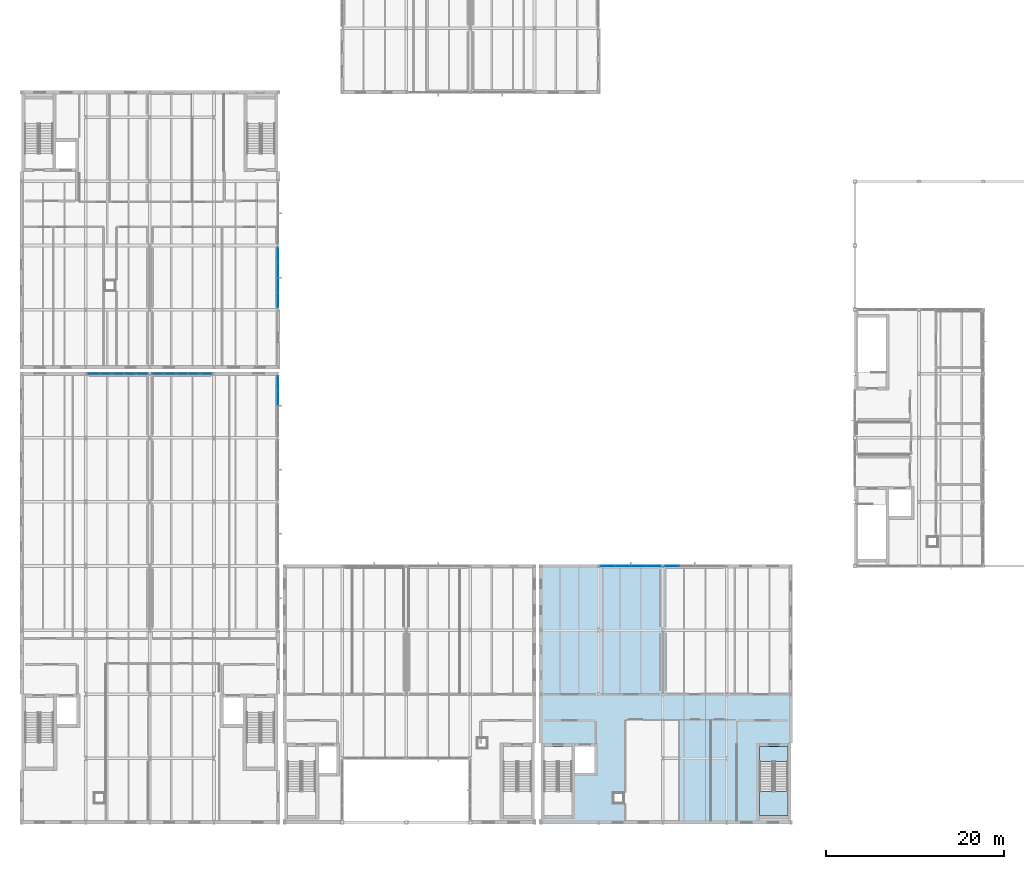
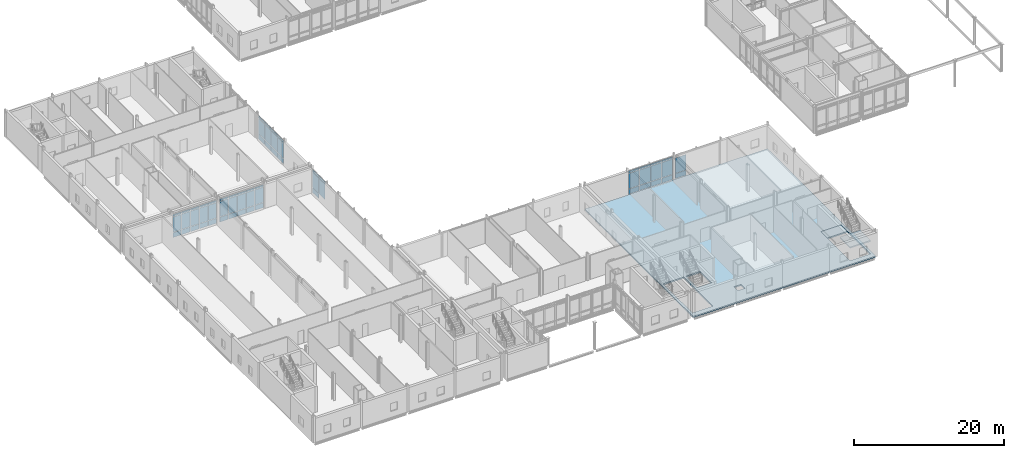
# One storey, part 36 of 72: 61 plates, 3 slabs, 7 elements without a shape of their own.
"""IFC4 building model written with IfcOpenShell, lengths in metres."""

from ifc_helpers import new_model, si_unit, direction, frame, origin, origin_2d, place, context, subcontext, project, spatial, polyline, rectangle, outline, extrude, material, layer, layer_set, type_object, element, aggregate, save


model = new_model("IFC4")

# Units and contexts
model_context = context("Model", 3, precision=1e-05, world=origin(), true_north=direction((0.0, 1.0)))
body_context = subcontext(model_context, "Body", "Model", "MODEL_VIEW")
ifc_project = project(units=[si_unit("LENGTHUNIT", "METRE"), si_unit("AREAUNIT", "SQUARE_METRE"), si_unit("VOLUMEUNIT", "CUBIC_METRE"), si_unit("PLANEANGLEUNIT", "RADIAN"), si_unit("MASSUNIT", "GRAM", prefix="KILO")], contexts=[model_context])

# Site, building, storey
site_placement = place(None, origin())
site = spatial("IfcSite", under=ifc_project, at=site_placement, CompositionType="ELEMENT")
building_placement = place(site_placement, origin())
building = spatial("IfcBuilding", under=site, at=building_placement, Name="Zarrinpeak Specialist Clinic", CompositionType="ELEMENT")
storey_placement = place(building_placement, frame((0.0, 0.0, 9.60009765625)))
storey = spatial("IfcBuildingStorey", under=building, at=storey_placement, Name="L02", CompositionType="ELEMENT", Elevation=9.60009765625)

# Curtain wall, plates
ifc_material_1 = material(Name="Anodised Aluminium Alloy 6063-T6", Category="aluminium")
ifc_layer_1 = layer(ifc_material_1, 0.1650390625)
ifc_layer_set_1 = layer_set([ifc_layer_1], Name="Anodised Aluminium Alloy 6063-T6")
curtain_wall_type_1 = type_object("IfcCurtainWallType", Name="CW-CLINIC", PredefinedType="NOTDEFINED", material=ifc_layer_set_1)
curtain_wall_1_placement = place(storey_placement, origin())
curtain_wall_1 = element("IfcCurtainWall", 1, at=curtain_wall_1_placement, inside=storey, type_object=curtain_wall_type_1, Name="L02 V1 Unitised Curtain Wall CW-L02-V1-013", PredefinedType="NOTDEFINED")
ifc_material_2 = material(Name="Double Low-E Insulated Glazing", Category="glass")
ifc_layer_2 = layer(ifc_material_2, 0.028076171875)
ifc_layer_set_2 = layer_set([ifc_layer_2], Name="Double Low-E Insulated Glazing")
plate_type_1 = type_object("IfcPlateType", Name="CWP-GLZ28", PredefinedType="CURTAIN_PANEL", material=ifc_layer_set_2)
plate_1_placement = place(storey_placement, frame((13.521240234375, 50.39990234375, 0.074951171875), z_axis=(0.0, 0.0, 1.0), x_axis=(-1.0, 0.0, 0.0)))
plate_1 = element("IfcPlate", 2, at=plate_1_placement, type_object=plate_type_1, Name="CW-03 panel 1.1", PredefinedType="CURTAIN_PANEL", context=body_context, shape_type="SweptSolid", body=[
    extrude(rectangle(XDim=1.257568359375, YDim=0.028076171875, at=origin_2d()), origin(), (0.0, 0.0, 1.0), 0.78759765625),
])
plate_2_placement = place(storey_placement, frame((13.521240234375, 50.39990234375, 0.9375), z_axis=(0.0, 0.0, 1.0), x_axis=(-1.0, 0.0, 0.0)))
plate_2 = element("IfcPlate", 3, at=plate_2_placement, type_object=plate_type_1, Name="CW-03 panel 1.2", PredefinedType="CURTAIN_PANEL", context=body_context, shape_type="SweptSolid", body=[
    extrude(rectangle(XDim=1.257568359375, YDim=0.028076171875, at=origin_2d()), origin(), (0.0, 0.0, 1.0), 2.469970703125),
])
plate_3_placement = place(storey_placement, frame((13.521240234375, 50.39990234375, 3.482421875), z_axis=(0.0, 0.0, 1.0), x_axis=(-1.0, 0.0, 0.0)))
plate_3 = element("IfcPlate", 4, at=plate_3_placement, type_object=plate_type_1, Name="CW-03 panel 1.3", PredefinedType="CURTAIN_PANEL", context=body_context, shape_type="SweptSolid", body=[
    extrude(rectangle(XDim=1.257568359375, YDim=0.028076171875, at=origin_2d()), origin(), (0.0, 0.0, 1.0), 0.33740234375),
])
plate_4_placement = place(storey_placement, frame((12.169921875, 50.39990234375, 0.074951171875), z_axis=(0.0, 0.0, 1.0), x_axis=(-1.0, 0.0, 0.0)))
plate_4 = element("IfcPlate", 5, at=plate_4_placement, type_object=plate_type_1, Name="CW-03 panel 2.1", PredefinedType="CURTAIN_PANEL", context=body_context, shape_type="SweptSolid", body=[
    extrude(rectangle(XDim=1.294921875, YDim=0.028076171875, at=origin_2d()), origin(), (0.0, 0.0, 1.0), 0.78759765625),
])
plate_5_placement = place(storey_placement, frame((12.169921875, 50.39990234375, 0.9375), z_axis=(0.0, 0.0, 1.0), x_axis=(-1.0, 0.0, 0.0)))
plate_5 = element("IfcPlate", 6, at=plate_5_placement, type_object=plate_type_1, Name="CW-03 panel 2.2", PredefinedType="CURTAIN_PANEL", context=body_context, shape_type="SweptSolid", body=[
    extrude(rectangle(XDim=1.294921875, YDim=0.028076171875, at=origin_2d()), origin(), (0.0, 0.0, 1.0), 2.469970703125),
])
plate_6_placement = place(storey_placement, frame((12.169921875, 50.39990234375, 3.482421875), z_axis=(0.0, 0.0, 1.0), x_axis=(-1.0, 0.0, 0.0)))
plate_6 = element("IfcPlate", 7, at=plate_6_placement, type_object=plate_type_1, Name="CW-03 panel 2.3", PredefinedType="CURTAIN_PANEL", context=body_context, shape_type="SweptSolid", body=[
    extrude(rectangle(XDim=1.294921875, YDim=0.028076171875, at=origin_2d()), origin(), (0.0, 0.0, 1.0), 0.33740234375),
])
plate_7_placement = place(storey_placement, frame((10.800048828125, 50.39990234375, 0.074951171875), z_axis=(0.0, 0.0, 1.0), x_axis=(-1.0, 0.0, 0.0)))
plate_7 = element("IfcPlate", 8, at=plate_7_placement, type_object=plate_type_1, Name="CW-03 panel 3.1", PredefinedType="CURTAIN_PANEL", context=body_context, shape_type="SweptSolid", body=[
    extrude(rectangle(XDim=1.294921875, YDim=0.028076171875, at=origin_2d()), origin(), (0.0, 0.0, 1.0), 0.78759765625),
])
plate_8_placement = place(storey_placement, frame((10.800048828125, 50.39990234375, 0.9375), z_axis=(0.0, 0.0, 1.0), x_axis=(-1.0, 0.0, 0.0)))
plate_8 = element("IfcPlate", 9, at=plate_8_placement, type_object=plate_type_1, Name="CW-03 panel 3.2", PredefinedType="CURTAIN_PANEL", context=body_context, shape_type="SweptSolid", body=[
    extrude(rectangle(XDim=1.294921875, YDim=0.028076171875, at=origin_2d()), origin(), (0.0, 0.0, 1.0), 2.469970703125),
])
plate_9_placement = place(storey_placement, frame((10.800048828125, 50.39990234375, 3.482421875), z_axis=(0.0, 0.0, 1.0), x_axis=(-1.0, 0.0, 0.0)))
plate_9 = element("IfcPlate", 10, at=plate_9_placement, type_object=plate_type_1, Name="CW-03 panel 3.3", PredefinedType="CURTAIN_PANEL", context=body_context, shape_type="SweptSolid", body=[
    extrude(rectangle(XDim=1.294921875, YDim=0.028076171875, at=origin_2d()), origin(), (0.0, 0.0, 1.0), 0.33740234375),
])
plate_10_placement = place(storey_placement, frame((9.429931640625, 50.39990234375, 0.074951171875), z_axis=(0.0, 0.0, 1.0), x_axis=(-1.0, 0.0, 0.0)))
plate_10 = element("IfcPlate", 11, at=plate_10_placement, type_object=plate_type_1, Name="CW-03 panel 4.1", PredefinedType="CURTAIN_PANEL", context=body_context, shape_type="SweptSolid", body=[
    extrude(rectangle(XDim=1.294921875, YDim=0.028076171875, at=origin_2d()), origin(), (0.0, 0.0, 1.0), 0.78759765625),
])
plate_11_placement = place(storey_placement, frame((9.429931640625, 50.39990234375, 0.9375), z_axis=(0.0, 0.0, 1.0), x_axis=(-1.0, 0.0, 0.0)))
plate_11 = element("IfcPlate", 12, at=plate_11_placement, type_object=plate_type_1, Name="CW-03 panel 4.2", PredefinedType="CURTAIN_PANEL", context=body_context, shape_type="SweptSolid", body=[
    extrude(rectangle(XDim=1.294921875, YDim=0.028076171875, at=origin_2d()), origin(), (0.0, 0.0, 1.0), 2.469970703125),
])
plate_12_placement = place(storey_placement, frame((9.429931640625, 50.39990234375, 3.482421875), z_axis=(0.0, 0.0, 1.0), x_axis=(-1.0, 0.0, 0.0)))
plate_12 = element("IfcPlate", 13, at=plate_12_placement, type_object=plate_type_1, Name="CW-03 panel 4.3", PredefinedType="CURTAIN_PANEL", context=body_context, shape_type="SweptSolid", body=[
    extrude(rectangle(XDim=1.294921875, YDim=0.028076171875, at=origin_2d()), origin(), (0.0, 0.0, 1.0), 0.33740234375),
])
plate_13_placement = place(storey_placement, frame((8.078857421875, 50.39990234375, 0.074951171875), z_axis=(0.0, 0.0, 1.0), x_axis=(-1.0, 0.0, 0.0)))
plate_13 = element("IfcPlate", 14, at=plate_13_placement, type_object=plate_type_1, Name="CW-03 panel 5.1", PredefinedType="CURTAIN_PANEL", context=body_context, shape_type="SweptSolid", body=[
    extrude(rectangle(XDim=1.257568359375, YDim=0.028076171875, at=origin_2d()), origin(), (0.0, 0.0, 1.0), 0.78759765625),
])
plate_14_placement = place(storey_placement, frame((8.078857421875, 50.39990234375, 0.9375), z_axis=(0.0, 0.0, 1.0), x_axis=(-1.0, 0.0, 0.0)))
plate_14 = element("IfcPlate", 15, at=plate_14_placement, type_object=plate_type_1, Name="CW-03 panel 5.2", PredefinedType="CURTAIN_PANEL", context=body_context, shape_type="SweptSolid", body=[
    extrude(rectangle(XDim=1.257568359375, YDim=0.028076171875, at=origin_2d()), origin(), (0.0, 0.0, 1.0), 2.469970703125),
])
plate_15_placement = place(storey_placement, frame((8.078857421875, 50.39990234375, 3.482421875), z_axis=(0.0, 0.0, 1.0), x_axis=(-1.0, 0.0, 0.0)))
plate_15 = element("IfcPlate", 16, at=plate_15_placement, type_object=plate_type_1, Name="CW-03 panel 5.3", PredefinedType="CURTAIN_PANEL", context=body_context, shape_type="SweptSolid", body=[
    extrude(rectangle(XDim=1.257568359375, YDim=0.028076171875, at=origin_2d()), origin(), (0.0, 0.0, 1.0), 0.33740234375),
])
aggregate(curtain_wall_1, [plate_1, plate_2, plate_3, plate_4, plate_5, plate_6, plate_7, plate_8, plate_9, plate_10, plate_11, plate_12, plate_13, plate_14, plate_15])

curtain_wall_2_placement = place(storey_placement, origin())
curtain_wall_2 = element("IfcCurtainWall", 17, at=curtain_wall_2_placement, inside=storey, type_object=curtain_wall_type_1, Name="L02 V1 Unitised Curtain Wall CW-L02-V1-014", PredefinedType="NOTDEFINED")
plate_16_placement = place(storey_placement, frame((20.72119140625, 50.39990234375, 0.074951171875), z_axis=(0.0, 0.0, 1.0), x_axis=(-1.0, 0.0, 0.0)))
plate_16 = element("IfcPlate", 18, at=plate_16_placement, type_object=plate_type_1, Name="CW-03 panel 1.1", PredefinedType="CURTAIN_PANEL", context=body_context, shape_type="SweptSolid", body=[
    extrude(rectangle(XDim=1.257568359375, YDim=0.028076171875, at=origin_2d()), origin(), (0.0, 0.0, 1.0), 0.78759765625),
])
plate_17_placement = place(storey_placement, frame((20.72119140625, 50.39990234375, 0.9375), z_axis=(0.0, 0.0, 1.0), x_axis=(-1.0, 0.0, 0.0)))
plate_17 = element("IfcPlate", 19, at=plate_17_placement, type_object=plate_type_1, Name="CW-03 panel 1.2", PredefinedType="CURTAIN_PANEL", context=body_context, shape_type="SweptSolid", body=[
    extrude(rectangle(XDim=1.257568359375, YDim=0.028076171875, at=origin_2d()), origin(), (0.0, 0.0, 1.0), 2.469970703125),
])
plate_18_placement = place(storey_placement, frame((20.72119140625, 50.39990234375, 3.482421875), z_axis=(0.0, 0.0, 1.0), x_axis=(-1.0, 0.0, 0.0)))
plate_18 = element("IfcPlate", 20, at=plate_18_placement, type_object=plate_type_1, Name="CW-03 panel 1.3", PredefinedType="CURTAIN_PANEL", context=body_context, shape_type="SweptSolid", body=[
    extrude(rectangle(XDim=1.257568359375, YDim=0.028076171875, at=origin_2d()), origin(), (0.0, 0.0, 1.0), 0.33740234375),
])
plate_19_placement = place(storey_placement, frame((19.3701171875, 50.39990234375, 0.074951171875), z_axis=(0.0, 0.0, 1.0), x_axis=(-1.0, 0.0, 0.0)))
plate_19 = element("IfcPlate", 21, at=plate_19_placement, type_object=plate_type_1, Name="CW-03 panel 2.1", PredefinedType="CURTAIN_PANEL", context=body_context, shape_type="SweptSolid", body=[
    extrude(rectangle(XDim=1.294921875, YDim=0.028076171875, at=origin_2d()), origin(), (0.0, 0.0, 1.0), 0.78759765625),
])
plate_20_placement = place(storey_placement, frame((19.3701171875, 50.39990234375, 0.9375), z_axis=(0.0, 0.0, 1.0), x_axis=(-1.0, 0.0, 0.0)))
plate_20 = element("IfcPlate", 22, at=plate_20_placement, type_object=plate_type_1, Name="CW-03 panel 2.2", PredefinedType="CURTAIN_PANEL", context=body_context, shape_type="SweptSolid", body=[
    extrude(rectangle(XDim=1.294921875, YDim=0.028076171875, at=origin_2d()), origin(), (0.0, 0.0, 1.0), 2.469970703125),
])
plate_21_placement = place(storey_placement, frame((19.3701171875, 50.39990234375, 3.482421875), z_axis=(0.0, 0.0, 1.0), x_axis=(-1.0, 0.0, 0.0)))
plate_21 = element("IfcPlate", 23, at=plate_21_placement, type_object=plate_type_1, Name="CW-03 panel 2.3", PredefinedType="CURTAIN_PANEL", context=body_context, shape_type="SweptSolid", body=[
    extrude(rectangle(XDim=1.294921875, YDim=0.028076171875, at=origin_2d()), origin(), (0.0, 0.0, 1.0), 0.33740234375),
])
plate_22_placement = place(storey_placement, frame((18.0, 50.39990234375, 0.074951171875), z_axis=(0.0, 0.0, 1.0), x_axis=(-1.0, 0.0, 0.0)))
plate_22 = element("IfcPlate", 24, at=plate_22_placement, type_object=plate_type_1, Name="CW-03 panel 3.1", PredefinedType="CURTAIN_PANEL", context=body_context, shape_type="SweptSolid", body=[
    extrude(rectangle(XDim=1.294921875, YDim=0.028076171875, at=origin_2d()), origin(), (0.0, 0.0, 1.0), 0.78759765625),
])
plate_23_placement = place(storey_placement, frame((18.0, 50.39990234375, 0.9375), z_axis=(0.0, 0.0, 1.0), x_axis=(-1.0, 0.0, 0.0)))
plate_23 = element("IfcPlate", 25, at=plate_23_placement, type_object=plate_type_1, Name="CW-03 panel 3.2", PredefinedType="CURTAIN_PANEL", context=body_context, shape_type="SweptSolid", body=[
    extrude(rectangle(XDim=1.294921875, YDim=0.028076171875, at=origin_2d()), origin(), (0.0, 0.0, 1.0), 2.469970703125),
])
plate_24_placement = place(storey_placement, frame((18.0, 50.39990234375, 3.482421875), z_axis=(0.0, 0.0, 1.0), x_axis=(-1.0, 0.0, 0.0)))
plate_24 = element("IfcPlate", 26, at=plate_24_placement, type_object=plate_type_1, Name="CW-03 panel 3.3", PredefinedType="CURTAIN_PANEL", context=body_context, shape_type="SweptSolid", body=[
    extrude(rectangle(XDim=1.294921875, YDim=0.028076171875, at=origin_2d()), origin(), (0.0, 0.0, 1.0), 0.33740234375),
])
plate_25_placement = place(storey_placement, frame((16.6298828125, 50.39990234375, 0.074951171875), z_axis=(0.0, 0.0, 1.0), x_axis=(-1.0, 0.0, 0.0)))
plate_25 = element("IfcPlate", 27, at=plate_25_placement, type_object=plate_type_1, Name="CW-03 panel 4.1", PredefinedType="CURTAIN_PANEL", context=body_context, shape_type="SweptSolid", body=[
    extrude(rectangle(XDim=1.294921875, YDim=0.028076171875, at=origin_2d()), origin(), (0.0, 0.0, 1.0), 0.78759765625),
])
plate_26_placement = place(storey_placement, frame((16.6298828125, 50.39990234375, 0.9375), z_axis=(0.0, 0.0, 1.0), x_axis=(-1.0, 0.0, 0.0)))
plate_26 = element("IfcPlate", 28, at=plate_26_placement, type_object=plate_type_1, Name="CW-03 panel 4.2", PredefinedType="CURTAIN_PANEL", context=body_context, shape_type="SweptSolid", body=[
    extrude(rectangle(XDim=1.294921875, YDim=0.028076171875, at=origin_2d()), origin(), (0.0, 0.0, 1.0), 2.469970703125),
])
plate_27_placement = place(storey_placement, frame((16.6298828125, 50.39990234375, 3.482421875), z_axis=(0.0, 0.0, 1.0), x_axis=(-1.0, 0.0, 0.0)))
plate_27 = element("IfcPlate", 29, at=plate_27_placement, type_object=plate_type_1, Name="CW-03 panel 4.3", PredefinedType="CURTAIN_PANEL", context=body_context, shape_type="SweptSolid", body=[
    extrude(rectangle(XDim=1.294921875, YDim=0.028076171875, at=origin_2d()), origin(), (0.0, 0.0, 1.0), 0.33740234375),
])
plate_28_placement = place(storey_placement, frame((15.27880859375, 50.39990234375, 0.074951171875), z_axis=(0.0, 0.0, 1.0), x_axis=(-1.0, 0.0, 0.0)))
plate_28 = element("IfcPlate", 30, at=plate_28_placement, type_object=plate_type_1, Name="CW-03 panel 5.1", PredefinedType="CURTAIN_PANEL", context=body_context, shape_type="SweptSolid", body=[
    extrude(rectangle(XDim=1.257568359375, YDim=0.028076171875, at=origin_2d()), origin(), (0.0, 0.0, 1.0), 0.78759765625),
])
plate_29_placement = place(storey_placement, frame((15.27880859375, 50.39990234375, 0.9375), z_axis=(0.0, 0.0, 1.0), x_axis=(-1.0, 0.0, 0.0)))
plate_29 = element("IfcPlate", 31, at=plate_29_placement, type_object=plate_type_1, Name="CW-03 panel 5.2", PredefinedType="CURTAIN_PANEL", context=body_context, shape_type="SweptSolid", body=[
    extrude(rectangle(XDim=1.257568359375, YDim=0.028076171875, at=origin_2d()), origin(), (0.0, 0.0, 1.0), 2.469970703125),
])
plate_30_placement = place(storey_placement, frame((15.27880859375, 50.39990234375, 3.482421875), z_axis=(0.0, 0.0, 1.0), x_axis=(-1.0, 0.0, 0.0)))
plate_30 = element("IfcPlate", 32, at=plate_30_placement, type_object=plate_type_1, Name="CW-03 panel 5.3", PredefinedType="CURTAIN_PANEL", context=body_context, shape_type="SweptSolid", body=[
    extrude(rectangle(XDim=1.257568359375, YDim=0.028076171875, at=origin_2d()), origin(), (0.0, 0.0, 1.0), 0.33740234375),
])
aggregate(curtain_wall_2, [plate_16, plate_17, plate_18, plate_19, plate_20, plate_21, plate_22, plate_23, plate_24, plate_25, plate_26, plate_27, plate_28, plate_29, plate_30])

ifc_layer_3 = layer(ifc_material_1, 0.179931640625)
ifc_layer_set_3 = layer_set([ifc_layer_3], Name="Anodised Aluminium Alloy 6063-T6")
curtain_wall_type_2 = type_object("IfcCurtainWallType", Name="CW-COURT", PredefinedType="NOTDEFINED", material=ifc_layer_set_3)
curtain_wall_3_placement = place(storey_placement, origin())
curtain_wall_3 = element("IfcCurtainWall", 33, at=curtain_wall_3_placement, inside=storey, type_object=curtain_wall_type_2, Name="L02 V4 Unitised Curtain Wall CW-L02-V4-073", PredefinedType="NOTDEFINED")
ifc_material_3 = material(Name="Triple Acoustic Low-E Glazing", Category="glass")
ifc_layer_4 = layer(ifc_material_3, 0.035888671875)
ifc_layer_set_4 = layer_set([ifc_layer_4], Name="Triple Acoustic Low-E Glazing")
plate_type_2 = type_object("IfcPlateType", Name="CWP-GLZ36", PredefinedType="CURTAIN_PANEL", material=ifc_layer_set_4)
plate_31_placement = place(storey_placement, frame((70.972412109375, 28.800048828125, 0.074951171875), z_axis=(0.0, 0.0, 1.0), x_axis=(-1.0, 0.0, 0.0)))
plate_31 = element("IfcPlate", 34, at=plate_31_placement, type_object=plate_type_2, Name="CW-01 panel 1.1", PredefinedType="CURTAIN_PANEL", context=body_context, shape_type="SweptSolid", body=[
    extrude(rectangle(XDim=1.614990234375, YDim=0.035888671875, at=origin_2d()), origin(), (0.0, 0.0, 1.0), 0.78759765625),
])
plate_32_placement = place(storey_placement, frame((70.972412109375, 28.800048828125, 0.937255859375), z_axis=(0.0, 0.0, 1.0), x_axis=(-1.0, 0.0, 0.0)))
plate_32 = element("IfcPlate", 35, at=plate_32_placement, type_object=plate_type_2, Name="CW-01 panel 1.2", PredefinedType="CURTAIN_PANEL", context=body_context, shape_type="SweptSolid", body=[
    extrude(rectangle(XDim=1.614990234375, YDim=0.035888671875, at=origin_2d()), origin(), (0.0, 0.0, 1.0), 2.47509765625),
])
plate_33_placement = place(storey_placement, frame((70.972412109375, 28.800048828125, 3.487548828125), z_axis=(0.0, 0.0, 1.0), x_axis=(-1.0, 0.0, 0.0)))
plate_33 = element("IfcPlate", 36, at=plate_33_placement, type_object=plate_type_2, Name="CW-01 panel 1.3", PredefinedType="CURTAIN_PANEL", context=body_context, shape_type="SweptSolid", body=[
    extrude(rectangle(XDim=1.614990234375, YDim=0.035888671875, at=origin_2d()), origin(), (0.0, 0.0, 1.0), 0.33740234375),
])
plate_34_placement = place(storey_placement, frame((69.263671875, 28.800048828125, 0.074951171875), z_axis=(0.0, 0.0, 1.0), x_axis=(-1.0, 0.0, 0.0)))
plate_34 = element("IfcPlate", 37, at=plate_34_placement, type_object=plate_type_2, Name="CW-01 panel 2.1", PredefinedType="CURTAIN_PANEL", context=body_context, shape_type="SweptSolid", body=[
    extrude(rectangle(XDim=1.652587890625, YDim=0.035888671875, at=origin_2d()), origin(), (0.0, 0.0, 1.0), 0.78759765625),
])
plate_35_placement = place(storey_placement, frame((69.263671875, 28.800048828125, 0.937255859375), z_axis=(0.0, 0.0, 1.0), x_axis=(-1.0, 0.0, 0.0)))
plate_35 = element("IfcPlate", 38, at=plate_35_placement, type_object=plate_type_2, Name="CW-01 panel 2.2", PredefinedType="CURTAIN_PANEL", context=body_context, shape_type="SweptSolid", body=[
    extrude(rectangle(XDim=1.652587890625, YDim=0.035888671875, at=origin_2d()), origin(), (0.0, 0.0, 1.0), 2.47509765625),
])
plate_36_placement = place(storey_placement, frame((69.263671875, 28.800048828125, 3.487548828125), z_axis=(0.0, 0.0, 1.0), x_axis=(-1.0, 0.0, 0.0)))
plate_36 = element("IfcPlate", 39, at=plate_36_placement, type_object=plate_type_2, Name="CW-01 panel 2.3", PredefinedType="CURTAIN_PANEL", context=body_context, shape_type="SweptSolid", body=[
    extrude(rectangle(XDim=1.652587890625, YDim=0.035888671875, at=origin_2d()), origin(), (0.0, 0.0, 1.0), 0.33740234375),
])
plate_37_placement = place(storey_placement, frame((67.5361328125, 28.800048828125, 0.074951171875), z_axis=(0.0, 0.0, 1.0), x_axis=(-1.0, 0.0, 0.0)))
plate_37 = element("IfcPlate", 40, at=plate_37_placement, type_object=plate_type_2, Name="CW-01 panel 3.1", PredefinedType="CURTAIN_PANEL", context=body_context, shape_type="SweptSolid", body=[
    extrude(rectangle(XDim=1.652587890625, YDim=0.035888671875, at=origin_2d()), origin(), (0.0, 0.0, 1.0), 0.78759765625),
])
plate_38_placement = place(storey_placement, frame((67.5361328125, 28.800048828125, 0.937255859375), z_axis=(0.0, 0.0, 1.0), x_axis=(-1.0, 0.0, 0.0)))
plate_38 = element("IfcPlate", 41, at=plate_38_placement, type_object=plate_type_2, Name="CW-01 panel 3.2", PredefinedType="CURTAIN_PANEL", context=body_context, shape_type="SweptSolid", body=[
    extrude(rectangle(XDim=1.652587890625, YDim=0.035888671875, at=origin_2d()), origin(), (0.0, 0.0, 1.0), 2.47509765625),
])
plate_39_placement = place(storey_placement, frame((67.5361328125, 28.800048828125, 3.487548828125), z_axis=(0.0, 0.0, 1.0), x_axis=(-1.0, 0.0, 0.0)))
plate_39 = element("IfcPlate", 42, at=plate_39_placement, type_object=plate_type_2, Name="CW-01 panel 3.3", PredefinedType="CURTAIN_PANEL", context=body_context, shape_type="SweptSolid", body=[
    extrude(rectangle(XDim=1.652587890625, YDim=0.035888671875, at=origin_2d()), origin(), (0.0, 0.0, 1.0), 0.33740234375),
])
plate_40_placement = place(storey_placement, frame((65.827392578125, 28.800048828125, 0.074951171875), z_axis=(0.0, 0.0, 1.0), x_axis=(-1.0, 0.0, 0.0)))
plate_40 = element("IfcPlate", 43, at=plate_40_placement, type_object=plate_type_2, Name="CW-01 panel 4.1", PredefinedType="CURTAIN_PANEL", context=body_context, shape_type="SweptSolid", body=[
    extrude(rectangle(XDim=1.614990234375, YDim=0.035888671875, at=origin_2d()), origin(), (0.0, 0.0, 1.0), 0.78759765625),
])
plate_41_placement = place(storey_placement, frame((65.827392578125, 28.800048828125, 0.937255859375), z_axis=(0.0, 0.0, 1.0), x_axis=(-1.0, 0.0, 0.0)))
plate_41 = element("IfcPlate", 44, at=plate_41_placement, type_object=plate_type_2, Name="CW-01 panel 4.2", PredefinedType="CURTAIN_PANEL", context=body_context, shape_type="SweptSolid", body=[
    extrude(rectangle(XDim=1.614990234375, YDim=0.035888671875, at=origin_2d()), origin(), (0.0, 0.0, 1.0), 2.47509765625),
])
plate_42_placement = place(storey_placement, frame((65.827392578125, 28.800048828125, 3.487548828125), z_axis=(0.0, 0.0, 1.0), x_axis=(-1.0, 0.0, 0.0)))
plate_42 = element("IfcPlate", 45, at=plate_42_placement, type_object=plate_type_2, Name="CW-01 panel 4.3", PredefinedType="CURTAIN_PANEL", context=body_context, shape_type="SweptSolid", body=[
    extrude(rectangle(XDim=1.614990234375, YDim=0.035888671875, at=origin_2d()), origin(), (0.0, 0.0, 1.0), 0.33740234375),
])
aggregate(curtain_wall_3, [plate_31, plate_32, plate_33, plate_34, plate_35, plate_36, plate_37, plate_38, plate_39, plate_40, plate_41, plate_42])

curtain_wall_4_placement = place(storey_placement, origin())
curtain_wall_4 = element("IfcCurtainWall", 46, at=curtain_wall_4_placement, inside=storey, type_object=curtain_wall_type_2, Name="L02 V4 Unitised Curtain Wall CW-L02-V4-074", PredefinedType="NOTDEFINED")
plate_43_placement = place(storey_placement, frame((73.027587890625, 28.800048828125, 0.074951171875), z_axis=(0.0, 0.0, 1.0), x_axis=(-1.0, 0.0, 0.0)))
plate_43 = element("IfcPlate", 47, at=plate_43_placement, type_object=plate_type_2, Name="CW-01 panel 4.1", PredefinedType="CURTAIN_PANEL", context=body_context, shape_type="SweptSolid", body=[
    extrude(rectangle(XDim=1.614990234375, YDim=0.035888671875, at=origin_2d()), origin(), (0.0, 0.0, 1.0), 0.78759765625),
])
plate_44_placement = place(storey_placement, frame((73.027587890625, 28.800048828125, 0.937255859375), z_axis=(0.0, 0.0, 1.0), x_axis=(-1.0, 0.0, 0.0)))
plate_44 = element("IfcPlate", 48, at=plate_44_placement, type_object=plate_type_2, Name="CW-01 panel 4.2", PredefinedType="CURTAIN_PANEL", context=body_context, shape_type="SweptSolid", body=[
    extrude(rectangle(XDim=1.614990234375, YDim=0.035888671875, at=origin_2d()), origin(), (0.0, 0.0, 1.0), 2.47509765625),
])
aggregate(curtain_wall_4, [plate_43, plate_44])

curtain_wall_5_placement = place(storey_placement, origin())
curtain_wall_5 = element("IfcCurtainWall", 49, at=curtain_wall_5_placement, inside=storey, type_object=curtain_wall_type_2, Name="L02 V5 Unitised Curtain Wall CW-L02-V5-125", PredefinedType="NOTDEFINED")
plate_45_placement = place(storey_placement, frame((28.800048828125, 58.657470703125, 0.074951171875), z_axis=(0.0, 0.0, 1.0), x_axis=(0.0, 1.0, 0.0)))
plate_45 = element("IfcPlate", 50, at=plate_45_placement, type_object=plate_type_2, Name="CW-01 panel 1.1", PredefinedType="CURTAIN_PANEL", context=body_context, shape_type="SweptSolid", body=[
    extrude(rectangle(XDim=1.594970703125, YDim=0.035888671875, at=origin_2d()), origin(), (0.0, 0.0, 1.0), 0.78759765625),
])
plate_46_placement = place(storey_placement, frame((28.800048828125, 58.657470703125, 0.9375), z_axis=(0.0, 0.0, 1.0), x_axis=(0.0, 1.0, 0.0)))
plate_46 = element("IfcPlate", 51, at=plate_46_placement, type_object=plate_type_2, Name="CW-01 panel 1.2", PredefinedType="CURTAIN_PANEL", context=body_context, shape_type="SweptSolid", body=[
    extrude(rectangle(XDim=1.594970703125, YDim=0.035888671875, at=origin_2d()), origin(), (0.0, 0.0, 1.0), 2.4599609375),
])
plate_47_placement = place(storey_placement, frame((28.800048828125, 58.657470703125, 3.472412109375), z_axis=(0.0, 0.0, 1.0), x_axis=(0.0, 1.0, 0.0)))
plate_47 = element("IfcPlate", 52, at=plate_47_placement, type_object=plate_type_2, Name="CW-01 panel 1.3", PredefinedType="CURTAIN_PANEL", context=body_context, shape_type="SweptSolid", body=[
    extrude(rectangle(XDim=1.594970703125, YDim=0.035888671875, at=origin_2d()), origin(), (0.0, 0.0, 1.0), 0.33740234375),
])
plate_48_placement = place(storey_placement, frame((28.800048828125, 60.34619140625, 0.074951171875), z_axis=(0.0, 0.0, 1.0), x_axis=(0.0, 1.0, 0.0)))
plate_48 = element("IfcPlate", 53, at=plate_48_placement, type_object=plate_type_2, Name="CW-01 panel 2.1", PredefinedType="CURTAIN_PANEL", context=body_context, shape_type="SweptSolid", body=[
    extrude(rectangle(XDim=1.632568359375, YDim=0.035888671875, at=origin_2d()), origin(), (0.0, 0.0, 1.0), 0.78759765625),
])
plate_49_placement = place(storey_placement, frame((28.800048828125, 60.34619140625, 0.9375), z_axis=(0.0, 0.0, 1.0), x_axis=(0.0, 1.0, 0.0)))
plate_49 = element("IfcPlate", 54, at=plate_49_placement, type_object=plate_type_2, Name="CW-01 panel 2.2", PredefinedType="CURTAIN_PANEL", context=body_context, shape_type="SweptSolid", body=[
    extrude(rectangle(XDim=1.632568359375, YDim=0.035888671875, at=origin_2d()), origin(), (0.0, 0.0, 1.0), 2.4599609375),
])
plate_50_placement = place(storey_placement, frame((28.800048828125, 60.34619140625, 3.472412109375), z_axis=(0.0, 0.0, 1.0), x_axis=(0.0, 1.0, 0.0)))
plate_50 = element("IfcPlate", 55, at=plate_50_placement, type_object=plate_type_2, Name="CW-01 panel 2.3", PredefinedType="CURTAIN_PANEL", context=body_context, shape_type="SweptSolid", body=[
    extrude(rectangle(XDim=1.632568359375, YDim=0.035888671875, at=origin_2d()), origin(), (0.0, 0.0, 1.0), 0.33740234375),
])
plate_51_placement = place(storey_placement, frame((28.800048828125, 62.0537109375, 0.074951171875), z_axis=(0.0, 0.0, 1.0), x_axis=(0.0, 1.0, 0.0)))
plate_51 = element("IfcPlate", 56, at=plate_51_placement, type_object=plate_type_2, Name="CW-01 panel 3.1", PredefinedType="CURTAIN_PANEL", context=body_context, shape_type="SweptSolid", body=[
    extrude(rectangle(XDim=1.632568359375, YDim=0.035888671875, at=origin_2d()), origin(), (0.0, 0.0, 1.0), 0.78759765625),
])
plate_52_placement = place(storey_placement, frame((28.800048828125, 62.0537109375, 0.9375), z_axis=(0.0, 0.0, 1.0), x_axis=(0.0, 1.0, 0.0)))
plate_52 = element("IfcPlate", 57, at=plate_52_placement, type_object=plate_type_2, Name="CW-01 panel 3.2", PredefinedType="CURTAIN_PANEL", context=body_context, shape_type="SweptSolid", body=[
    extrude(rectangle(XDim=1.632568359375, YDim=0.035888671875, at=origin_2d()), origin(), (0.0, 0.0, 1.0), 2.4599609375),
])
plate_53_placement = place(storey_placement, frame((28.800048828125, 62.0537109375, 3.472412109375), z_axis=(0.0, 0.0, 1.0), x_axis=(0.0, 1.0, 0.0)))
plate_53 = element("IfcPlate", 58, at=plate_53_placement, type_object=plate_type_2, Name="CW-01 panel 3.3", PredefinedType="CURTAIN_PANEL", context=body_context, shape_type="SweptSolid", body=[
    extrude(rectangle(XDim=1.632568359375, YDim=0.035888671875, at=origin_2d()), origin(), (0.0, 0.0, 1.0), 0.33740234375),
])
plate_54_placement = place(storey_placement, frame((28.800048828125, 63.742431640625, 0.074951171875), z_axis=(0.0, 0.0, 1.0), x_axis=(0.0, 1.0, 0.0)))
plate_54 = element("IfcPlate", 59, at=plate_54_placement, type_object=plate_type_2, Name="CW-01 panel 4.1", PredefinedType="CURTAIN_PANEL", context=body_context, shape_type="SweptSolid", body=[
    extrude(rectangle(XDim=1.594970703125, YDim=0.035888671875, at=origin_2d()), origin(), (0.0, 0.0, 1.0), 0.78759765625),
])
plate_55_placement = place(storey_placement, frame((28.800048828125, 63.742431640625, 0.9375), z_axis=(0.0, 0.0, 1.0), x_axis=(0.0, 1.0, 0.0)))
plate_55 = element("IfcPlate", 60, at=plate_55_placement, type_object=plate_type_2, Name="CW-01 panel 4.2", PredefinedType="CURTAIN_PANEL", context=body_context, shape_type="SweptSolid", body=[
    extrude(rectangle(XDim=1.594970703125, YDim=0.035888671875, at=origin_2d()), origin(), (0.0, 0.0, 1.0), 2.4599609375),
])
plate_56_placement = place(storey_placement, frame((28.800048828125, 63.742431640625, 3.472412109375), z_axis=(0.0, 0.0, 1.0), x_axis=(0.0, 1.0, 0.0)))
plate_56 = element("IfcPlate", 61, at=plate_56_placement, type_object=plate_type_2, Name="CW-01 panel 4.3", PredefinedType="CURTAIN_PANEL", context=body_context, shape_type="SweptSolid", body=[
    extrude(rectangle(XDim=1.594970703125, YDim=0.035888671875, at=origin_2d()), origin(), (0.0, 0.0, 1.0), 0.33740234375),
])
aggregate(curtain_wall_5, [plate_45, plate_46, plate_47, plate_48, plate_49, plate_50, plate_51, plate_52, plate_53, plate_54, plate_55, plate_56])

curtain_wall_6_placement = place(storey_placement, origin())
curtain_wall_6 = element("IfcCurtainWall", 62, at=curtain_wall_6_placement, inside=storey, type_object=curtain_wall_type_2, Name="L02 V1 Unitised Curtain Wall CW-L02-V1-018", PredefinedType="NOTDEFINED")
ifc_material_4 = material(Name="Insulated Aluminium Spandrel Panel", Category="aluminium")
ifc_layer_5 = layer(ifc_material_4, 0.044921875)
ifc_layer_set_5 = layer_set([ifc_layer_5], Name="Insulated Aluminium Spandrel Panel")
plate_type_3 = type_object("IfcPlateType", Name="CWP-SPN45", PredefinedType="CURTAIN_PANEL", material=ifc_layer_set_5)
plate_57_placement = place(storey_placement, frame((28.800048828125, 47.65625, 0.9375), z_axis=(0.0, 0.0, 1.0), x_axis=(0.0, 1.0, 0.0)))
plate_57 = element("IfcPlate", 63, at=plate_57_placement, type_object=plate_type_3, Name="CW-01 panel 3.2", PredefinedType="CURTAIN_PANEL", context=body_context, shape_type="SweptSolid", body=[
    extrude(rectangle(XDim=1.617431640625, YDim=0.044921875, at=origin_2d()), origin(), (0.0, 0.0, 1.0), 2.4599609375),
])
plate_58_placement = place(storey_placement, frame((28.800048828125, 47.65625, 3.472412109375), z_axis=(0.0, 0.0, 1.0), x_axis=(0.0, 1.0, 0.0)))
plate_58 = element("IfcPlate", 64, at=plate_58_placement, type_object=plate_type_3, Name="CW-01 panel 3.3", PredefinedType="CURTAIN_PANEL", context=body_context, shape_type="SweptSolid", body=[
    extrude(rectangle(XDim=1.617431640625, YDim=0.044921875, at=origin_2d()), origin(), (0.0, 0.0, 1.0), 0.33740234375),
])
plate_59_placement = place(storey_placement, frame((28.800048828125, 49.330078125, 0.074951171875), z_axis=(0.0, 0.0, 1.0), x_axis=(0.0, 1.0, 0.0)))
plate_59 = element("IfcPlate", 65, at=plate_59_placement, type_object=plate_type_3, Name="CW-01 panel 4.1", PredefinedType="CURTAIN_PANEL", context=body_context, shape_type="SweptSolid", body=[
    extrude(rectangle(XDim=1.580078125, YDim=0.044921875, at=origin_2d()), origin(), (0.0, 0.0, 1.0), 0.78759765625),
])
plate_60_placement = place(storey_placement, frame((28.800048828125, 49.330078125, 0.9375), z_axis=(0.0, 0.0, 1.0), x_axis=(0.0, 1.0, 0.0)))
plate_60 = element("IfcPlate", 66, at=plate_60_placement, type_object=plate_type_3, Name="CW-01 panel 4.2", PredefinedType="CURTAIN_PANEL", context=body_context, shape_type="SweptSolid", body=[
    extrude(rectangle(XDim=1.580078125, YDim=0.044921875, at=origin_2d()), origin(), (0.0, 0.0, 1.0), 2.4599609375),
])
plate_61_placement = place(storey_placement, frame((28.800048828125, 49.330078125, 3.472412109375), z_axis=(0.0, 0.0, 1.0), x_axis=(0.0, 1.0, 0.0)))
plate_61 = element("IfcPlate", 67, at=plate_61_placement, type_object=plate_type_3, Name="CW-01 panel 4.3", PredefinedType="CURTAIN_PANEL", context=body_context, shape_type="SweptSolid", body=[
    extrude(rectangle(XDim=1.580078125, YDim=0.044921875, at=origin_2d()), origin(), (0.0, 0.0, 1.0), 0.33740234375),
])
aggregate(curtain_wall_6, [plate_57, plate_58, plate_59, plate_60, plate_61])

# Slabs
ifc_material_5 = material(Name="Concrete C35/45", Category="concrete")
ifc_layer_6 = layer(ifc_material_5, 0.215087890625)
ifc_layer_set_6 = layer_set([ifc_layer_6], Name="Concrete C35/45")
slab_type_1 = type_object("IfcSlabType", Name="SL-FLR215", PredefinedType="FLOOR", material=ifc_layer_set_6)
slab_1_placement = place(storey_placement, frame((0.0, 0.0, -0.215087890625)))
element("IfcSlab", 68, at=slab_1_placement, inside=storey, type_object=slab_type_1, Name="L02 Suspended Clinical Floor Slab V4", PredefinedType="FLOOR", context=body_context, shape_type="SweptSolid", body=[
    extrude(outline(polyline([(58.320068359375, 0.0), (86.39990234375, 0.0), (86.39990234375, 28.800048828125), (58.320068359375, 28.800048828125), (58.320068359375, 0.0)]), holes=[polyline([(58.669921875, 0.75), (61.820068359375, 0.75), (61.820068359375, 8.550048828125), (58.669921875, 8.550048828125), (58.669921875, 0.75)]), polyline([(62.169921875, 5.550048828125), (64.3701171875, 5.550048828125), (64.3701171875, 8.550048828125), (62.169921875, 8.550048828125), (62.169921875, 5.550048828125)]), polyline([(82.89990234375, 0.75), (86.050048828125, 0.75), (86.050048828125, 8.550048828125), (82.89990234375, 8.550048828125), (82.89990234375, 0.75)]), polyline([(66.52001953125, 2.199951171875), (67.570068359375, 2.199951171875), (67.570068359375, 3.25), (66.52001953125, 3.25), (66.52001953125, 2.199951171875)])]), origin(), (0.0, 0.0, 1.0), 0.215087890625),
])
slab_2_placement = place(storey_placement, frame((0.0, 0.0, -0.215087890625)))
element("IfcSlab", 69, at=slab_2_placement, inside=storey, type_object=slab_type_1, Name="L02 Core C08 Stairwell Floor Landing Slab", PredefinedType="FLOOR", context=body_context, shape_type="SweptSolid", body=[
    extrude(outline(polyline([(82.89990234375, 6.85009765625), (86.050048828125, 6.85009765625), (86.050048828125, 8.550048828125), (82.89990234375, 8.550048828125), (82.89990234375, 6.85009765625)])), origin(), (0.0, 0.0, 1.0), 0.215087890625),
])

# Stair, slab
stair_type = type_object("IfcStairType", Name="ST-DOG", PredefinedType="HALF_TURN_STAIR", material=ifc_material_5)
stair_placement = place(storey_placement, origin())
stair = element("IfcStair", 70, at=stair_placement, inside=storey, type_object=stair_type, Name="L02 Protected Exit Stair ST-08", PredefinedType="HALF_TURN_STAIR")
ifc_layer_7 = layer(ifc_material_5, 0.199951171875)
ifc_layer_set_7 = layer_set([ifc_layer_7], Name="Concrete C35/45")
slab_type_2 = type_object("IfcSlabType", Name="SL-LAND200", PredefinedType="LANDING", material=ifc_layer_set_7)
slab_3_placement = place(storey_placement, frame((0.0, 0.0, 2.0)))
slab_3 = element("IfcSlab", 71, at=slab_3_placement, type_object=slab_type_2, Name="ST-08 landing 1", PredefinedType="LANDING", context=body_context, shape_type="SweptSolid", body=[
    extrude(outline(polyline([(82.89990234375, 3.489990234375), (82.89990234375, 0.75), (86.050048828125, 0.75), (86.050048828125, 3.489990234375), (82.89990234375, 3.489990234375)])), origin(), (0.0, 0.0, 1.0), 0.199951171875),
])
aggregate(stair, [slab_3])

save(model, "model.ifc")
